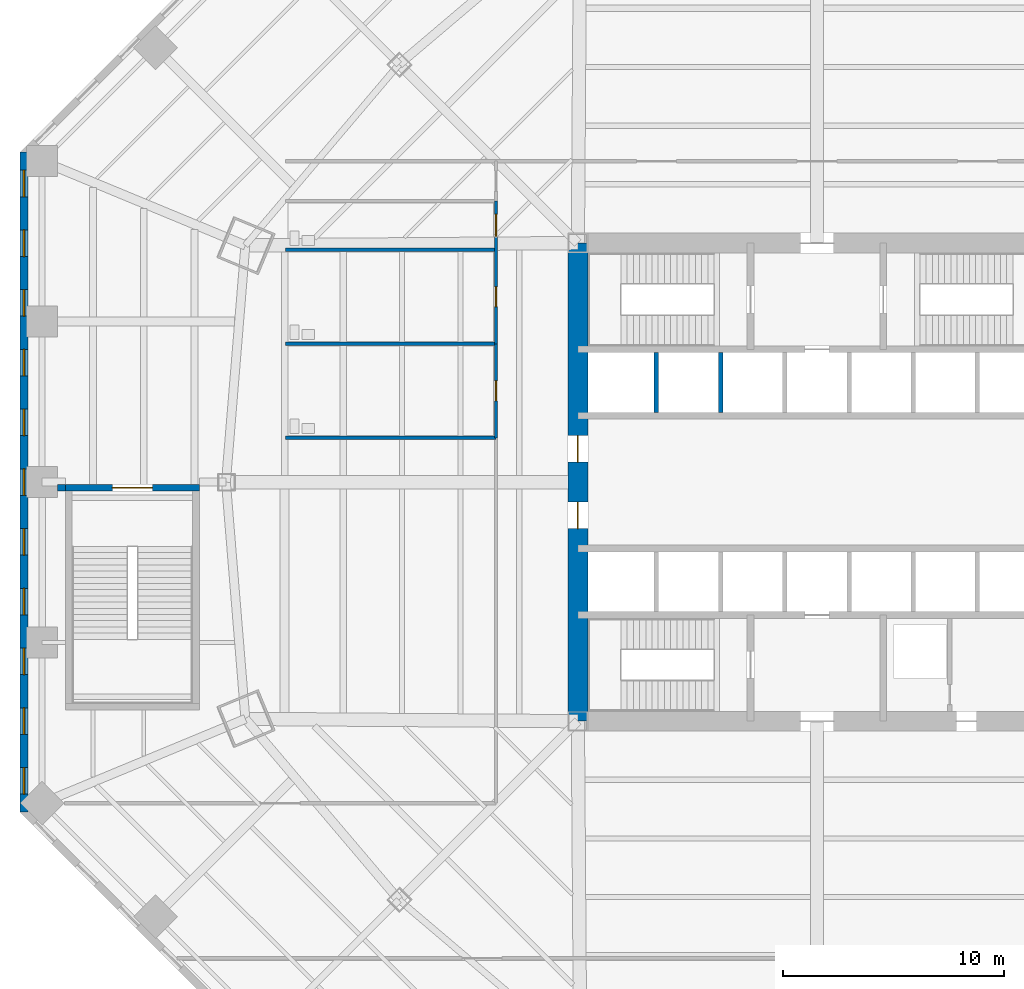
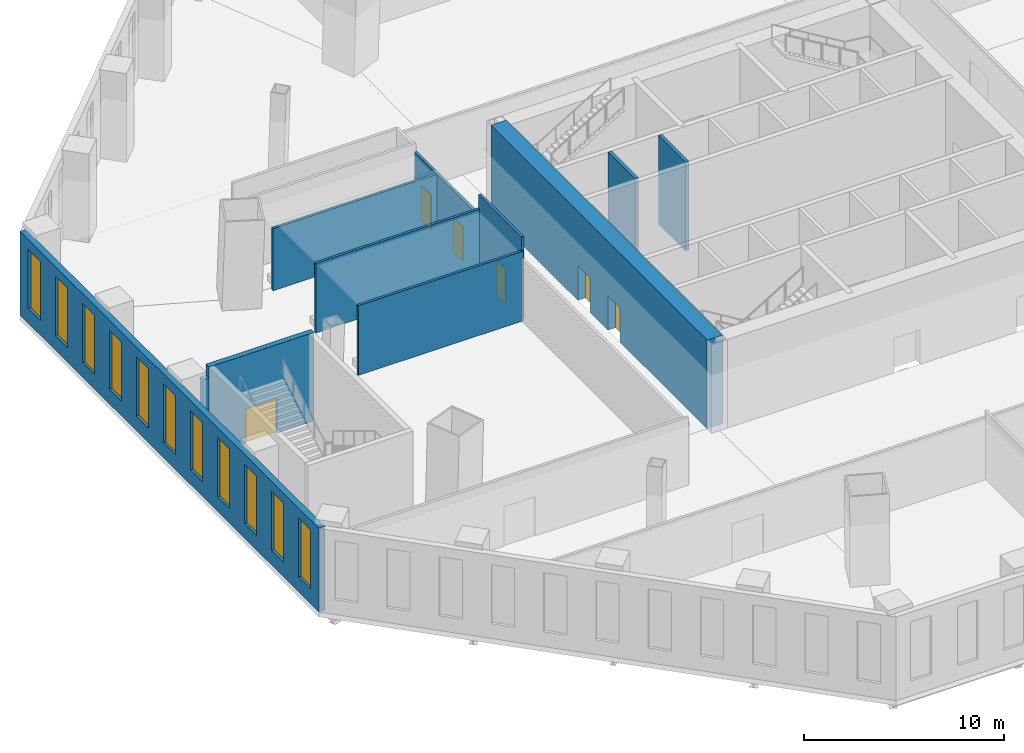
# One storey, part 10 of 18: 11 walls, 11 windows, 6 doors, 17 openings.
"""IFC4 building model written with IfcOpenShell, lengths in metres."""

from ifc_helpers import new_model, si_unit, direction, frame, frame_2d, origin, place, context, subcontext, project, spatial, rectangle, extrude, material, layer, layer_set, type_object, element, fill, save


model = new_model("IFC4")

# Units and contexts
model_context = context("Model", 3, precision=1e-05, world=origin(), true_north=direction((0.0, 1.0)))
body_context = subcontext(model_context, "Body", "Model", "MODEL_VIEW")
ifc_project = project(units=[si_unit("LENGTHUNIT", "METRE"), si_unit("AREAUNIT", "SQUARE_METRE"), si_unit("VOLUMEUNIT", "CUBIC_METRE"), si_unit("PLANEANGLEUNIT", "RADIAN"), si_unit("MASSUNIT", "GRAM", prefix="KILO")], contexts=[model_context])

# Site, building, storey
site_placement = place(None, origin())
site = spatial("IfcSite", under=ifc_project, at=site_placement, CompositionType="ELEMENT")
building_placement = place(site_placement, origin())
building = spatial("IfcBuilding", under=site, at=building_placement, Name="Mashrafa Tower", CompositionType="ELEMENT")
storey_placement = place(building_placement, frame((0.0, 0.0, 18.60009765625)))
storey = spatial("IfcBuildingStorey", under=building, at=storey_placement, Name="L03", CompositionType="ELEMENT", Elevation=18.60009765625)

# Wall, openings, doors
ifc_material_1 = material(Name="Concrete C60/75", Category="concrete")
ifc_layer_1 = layer(ifc_material_1, 0.89990234375)
ifc_layer_set_1 = layer_set([ifc_layer_1], Name="Core wall 900 C60/75")
wall_type_1 = type_object("IfcWallType", Name="Core wall 900 C60/75", PredefinedType="SOLIDWALL", material=ifc_layer_set_1)
wall_1_placement = place(storey_placement, frame((-10.800048828125, 10.800048828125, 0.0), z_axis=(0.0, 0.0, 1.0), x_axis=(0.0, -1.0, 0.0)))
wall_1 = element("IfcWall", 1, at=wall_1_placement, inside=storey, type_object=wall_type_1, Name="Core wall CW-W L03", PredefinedType="SOLIDWALL", context=body_context, shape_type="SweptSolid", body=[
    extrude(rectangle(XDim=21.60009765625, YDim=0.89990234375, at=frame_2d((10.800048828125, 0.0))), origin(), (0.0, 0.0, 1.0), 5.39990234375),
])
opening_1_placement = place(wall_1_placement, frame((8.699951171875, 0.0, 0.0)))
opening_1 = element("IfcOpeningElement", 2, at=opening_1_placement, cuts=wall_1, Name="Opening 03.014", PredefinedType="OPENING", context=body_context, shape_type="SweptSolid", body=[
    extrude(rectangle(XDim=1.199951171875, YDim=2.10009765625, at=frame_2d((0.60009765625, 1.050048828125))), frame((0.0, 0.4599609375, 0.0), z_axis=(0.0, -1.0, 0.0), x_axis=(1.0, 0.0, 0.0)), (0.0, 0.0, 1.0), 0.919921875),
])
opening_2_placement = place(wall_1_placement, frame((11.699951171875, 0.0, 0.0)))
opening_2 = element("IfcOpeningElement", 3, at=opening_2_placement, cuts=wall_1, Name="Opening 03.016", PredefinedType="OPENING", context=body_context, shape_type="SweptSolid", body=[
    extrude(rectangle(XDim=1.199951171875, YDim=2.10009765625, at=frame_2d((0.60009765625, 1.050048828125))), frame((0.0, 0.4599609375, 0.0), z_axis=(0.0, -1.0, 0.0), x_axis=(1.0, 0.0, 0.0)), (0.0, 0.0, 1.0), 0.919921875),
])
ifc_material_2 = material(Name="Steel door", Category="steel")
door_type_1 = type_object("IfcDoorType", Name="Lift hall door 1200 x 2100 90 min", OperationType="USERDEFINED", PredefinedType="DOOR", material=ifc_material_2)
door_1_placement = place(opening_1_placement, frame((1.199951171875, 0.0, 0.0), z_axis=(0.0, 0.0, 1.0), x_axis=(-1.0, 0.0, 0.0)))
door_1 = element("IfcDoor", 4, at=door_1_placement, inside=storey, type_object=door_type_1, Name="Lift hall door west L03", OperationType="SINGLE_SWING_RIGHT", OverallHeight=2.10009765625, OverallWidth=1.199951171875, PredefinedType="DOOR", context=body_context, shape_type="SweptSolid", body=[
    extrude(rectangle(XDim=1.199951171875, YDim=2.10009765625, at=frame_2d((0.60009765625, 1.050048828125))), frame((0.0, 0.02490234375, 0.0), z_axis=(0.0, -1.0, 0.0), x_axis=(1.0, 0.0, 0.0)), (0.0, 0.0, 1.0), 0.050048828125),
])
fill(opening_1, door_1)
door_2_placement = place(opening_2_placement, frame((1.199951171875, 0.0, 0.0), z_axis=(0.0, 0.0, 1.0), x_axis=(-1.0, 0.0, 0.0)))
door_2 = element("IfcDoor", 5, at=door_2_placement, inside=storey, type_object=door_type_1, Name="Lift hall door west L03", OperationType="SINGLE_SWING_RIGHT", OverallHeight=2.10009765625, OverallWidth=1.199951171875, PredefinedType="DOOR", context=body_context, shape_type="SweptSolid", body=[
    extrude(rectangle(XDim=1.199951171875, YDim=2.10009765625, at=frame_2d((0.60009765625, 1.050048828125))), frame((0.0, 0.02490234375, 0.0), z_axis=(0.0, -1.0, 0.0), x_axis=(1.0, 0.0, 0.0)), (0.0, 0.0, 1.0), 0.050048828125),
])
fill(opening_2, door_2)

# Wall, opening, door
ifc_material_3 = material(Name="Gypsum board on steel studs", Category="steel")
ifc_layer_2 = layer(ifc_material_3, 0.14990234375)
ifc_layer_set_2 = layer_set([ifc_layer_2], Name="Corridor partition 150 1 hr")
wall_type_2 = type_object("IfcWallType", Name="Corridor partition 150 1 hr", PredefinedType="PARTITIONING", material=ifc_layer_set_2)
wall_2_placement = place(storey_placement, frame((-14.5, 2.0, 0.0), z_axis=(0.0, 0.0, 1.0), x_axis=(0.0, 1.0, 0.0)))
wall_2 = element("IfcWall", 6, at=wall_2_placement, inside=storey, type_object=wall_type_2, Name="Corridor wall L03-003", PredefinedType="PARTITIONING", context=body_context, shape_type="SweptSolid", body=[
    extrude(rectangle(XDim=4.25, YDim=0.14990234375, at=frame_2d((2.125, 0.0))), origin(), (0.0, 0.0, 1.0), 5.099853515625),
])
opening_3_placement = place(wall_2_placement, frame((1.675048828125, 0.0, 0.0)))
opening_3 = element("IfcOpeningElement", 7, at=opening_3_placement, cuts=wall_2, Name="Opening 03.001", PredefinedType="OPENING", context=body_context, shape_type="SweptSolid", body=[
    extrude(rectangle(XDim=0.89990234375, YDim=2.10009765625, at=frame_2d((0.449951171875, 1.050048828125))), frame((0.0, 0.0849609375, 0.0), z_axis=(0.0, -1.0, 0.0), x_axis=(1.0, 0.0, 0.0)), (0.0, 0.0, 1.0), 0.169921875),
])
ifc_material_4 = material(Name="Timber door", Category="wood")
door_type_2 = type_object("IfcDoorType", Name="Toilet door 900 x 2100", OperationType="USERDEFINED", PredefinedType="DOOR", material=ifc_material_4)
door_3_placement = place(opening_3_placement, origin())
door_3 = element("IfcDoor", 8, at=door_3_placement, inside=storey, type_object=door_type_2, Name="WC Female L03 door", OperationType="SINGLE_SWING_LEFT", OverallHeight=2.10009765625, OverallWidth=0.89990234375, PredefinedType="DOOR", context=body_context, shape_type="SweptSolid", body=[
    extrude(rectangle(XDim=0.89990234375, YDim=2.10009765625, at=frame_2d((0.449951171875, 1.050048828125))), frame((0.0, 0.02490234375, 0.0), z_axis=(0.0, -1.0, 0.0), x_axis=(1.0, 0.0, 0.0)), (0.0, 0.0, 1.0), 0.050048828125),
])
fill(opening_3, door_3)

# Wall, openings, doors
wall_3_placement = place(storey_placement, frame((-14.5, 6.25, 0.0), z_axis=(0.0, 0.0, 1.0), x_axis=(0.0, 1.0, 0.0)))
wall_3 = element("IfcWall", 9, at=wall_3_placement, inside=storey, type_object=wall_type_2, Name="Corridor wall L03-005", PredefinedType="PARTITIONING", context=body_context, shape_type="SweptSolid", body=[
    extrude(rectangle(XDim=6.449951171875, YDim=0.14990234375, at=frame_2d((3.22509765625, 0.0))), origin(), (0.0, 0.0, 1.0), 3.789794921875),
])
opening_4_placement = place(wall_3_placement, frame((1.675048828125, 0.0, 0.0)))
opening_4 = element("IfcOpeningElement", 10, at=opening_4_placement, cuts=wall_3, Name="Opening 03.002", PredefinedType="OPENING", context=body_context, shape_type="SweptSolid", body=[
    extrude(rectangle(XDim=0.89990234375, YDim=2.10009765625, at=frame_2d((0.449951171875, 1.050048828125))), frame((0.0, 0.0849609375, 0.0), z_axis=(0.0, -1.0, 0.0), x_axis=(1.0, 0.0, 0.0)), (0.0, 0.0, 1.0), 0.169921875),
])
opening_5_placement = place(wall_3_placement, frame((4.85009765625, 0.0, 0.0)))
opening_5 = element("IfcOpeningElement", 11, at=opening_5_placement, cuts=wall_3, Name="Opening 03.003", PredefinedType="OPENING", context=body_context, shape_type="SweptSolid", body=[
    extrude(rectangle(XDim=1.0, YDim=2.10009765625, at=frame_2d((0.5, 1.050048828125))), frame((0.0, 0.0849609375, 0.0), z_axis=(0.0, -1.0, 0.0), x_axis=(1.0, 0.0, 0.0)), (0.0, 0.0, 1.0), 0.169921875),
])
ifc_material_5 = material(Name="Timber door", Category="wood")
door_type_3 = type_object("IfcDoorType", Name="Accessible toilet door 1000 x 2100", OperationType="USERDEFINED", PredefinedType="DOOR", material=ifc_material_5)
door_4_placement = place(opening_5_placement, origin())
door_4 = element("IfcDoor", 12, at=door_4_placement, inside=storey, type_object=door_type_3, Name="Accessible WC L03 door", OperationType="SINGLE_SWING_LEFT", OverallHeight=2.10009765625, OverallWidth=1.0, PredefinedType="DOOR", context=body_context, shape_type="SweptSolid", body=[
    extrude(rectangle(XDim=1.0, YDim=2.10009765625, at=frame_2d((0.5, 1.050048828125))), frame((0.0, 0.02490234375, 0.0), z_axis=(0.0, -1.0, 0.0), x_axis=(1.0, 0.0, 0.0)), (0.0, 0.0, 1.0), 0.050048828125),
])
fill(opening_5, door_4)
door_5_placement = place(opening_4_placement, origin())
door_5 = element("IfcDoor", 13, at=door_5_placement, inside=storey, type_object=door_type_2, Name="WC Male L03 door", OperationType="SINGLE_SWING_LEFT", OverallHeight=2.10009765625, OverallWidth=0.89990234375, PredefinedType="DOOR", context=body_context, shape_type="SweptSolid", body=[
    extrude(rectangle(XDim=0.89990234375, YDim=2.10009765625, at=frame_2d((0.449951171875, 1.050048828125))), frame((0.0, 0.02490234375, 0.0), z_axis=(0.0, -1.0, 0.0), x_axis=(1.0, 0.0, 0.0)), (0.0, 0.0, 1.0), 0.050048828125),
])
fill(opening_4, door_5)

# Wall, openings, windows
ifc_material_6 = material(Name="Riyadh limestone cladding on blockwork", Category="masonry")
ifc_layer_3 = layer(ifc_material_6, 0.35009765625)
ifc_layer_set_3 = layer_set([ifc_layer_3], Name="Limestone-clad external wall 350")
wall_type_3 = type_object("IfcWallType", Name="Limestone-clad external wall 350", PredefinedType="SOLIDWALL", material=ifc_layer_set_3)
wall_4_placement = place(storey_placement, frame((-35.824951171875, 14.91162109375, 0.0), z_axis=(0.0, 0.0, 1.0), x_axis=(0.0, -1.0, 0.0)))
wall_4 = element("IfcWall", 14, at=wall_4_placement, inside=storey, type_object=wall_type_3, Name="Limestone-clad external wall L03 west", PredefinedType="SOLIDWALL", context=body_context, shape_type="SweptSolid", body=[
    extrude(rectangle(XDim=29.8232421875, YDim=0.35009765625, at=frame_2d((14.91162109375, 0.0))), origin(), (0.0, 0.0, 1.0), 5.099853515625),
])
opening_6_placement = place(wall_4_placement, frame((0.821533203125, 0.0, 0.89990234375)))
opening_6 = element("IfcOpeningElement", 15, at=opening_6_placement, cuts=wall_4, Name="Opening W2", PredefinedType="OPENING", context=body_context, shape_type="SweptSolid", body=[
    extrude(rectangle(XDim=1.199951171875, YDim=3.60009765625, at=frame_2d((0.60009765625, 1.800048828125))), frame((0.0, 0.18505859375, 0.0), z_axis=(0.0, -1.0, 0.0), x_axis=(1.0, 0.0, 0.0)), (0.0, 0.0, 1.0), 0.3701171875),
])
opening_7_placement = place(wall_4_placement, frame((3.51953125, 0.0, 0.89990234375)))
opening_7 = element("IfcOpeningElement", 16, at=opening_7_placement, cuts=wall_4, Name="Opening W2", PredefinedType="OPENING", context=body_context, shape_type="SweptSolid", body=[
    extrude(rectangle(XDim=1.199951171875, YDim=3.60009765625, at=frame_2d((0.60009765625, 1.800048828125))), frame((0.0, 0.18505859375, 0.0), z_axis=(0.0, -1.0, 0.0), x_axis=(1.0, 0.0, 0.0)), (0.0, 0.0, 1.0), 0.3701171875),
])
opening_8_placement = place(wall_4_placement, frame((6.217529296875, 0.0, 0.89990234375)))
opening_8 = element("IfcOpeningElement", 17, at=opening_8_placement, cuts=wall_4, Name="Opening W2", PredefinedType="OPENING", context=body_context, shape_type="SweptSolid", body=[
    extrude(rectangle(XDim=1.199951171875, YDim=3.60009765625, at=frame_2d((0.60009765625, 1.800048828125))), frame((0.0, 0.18505859375, 0.0), z_axis=(0.0, -1.0, 0.0), x_axis=(1.0, 0.0, 0.0)), (0.0, 0.0, 1.0), 0.3701171875),
])
opening_9_placement = place(wall_4_placement, frame((8.91552734375, 0.0, 0.89990234375)))
opening_9 = element("IfcOpeningElement", 18, at=opening_9_placement, cuts=wall_4, Name="Opening W2", PredefinedType="OPENING", context=body_context, shape_type="SweptSolid", body=[
    extrude(rectangle(XDim=1.199951171875, YDim=3.60009765625, at=frame_2d((0.60009765625, 1.800048828125))), frame((0.0, 0.18505859375, 0.0), z_axis=(0.0, -1.0, 0.0), x_axis=(1.0, 0.0, 0.0)), (0.0, 0.0, 1.0), 0.3701171875),
])
opening_10_placement = place(wall_4_placement, frame((11.61376953125, 0.0, 0.89990234375)))
opening_10 = element("IfcOpeningElement", 19, at=opening_10_placement, cuts=wall_4, Name="Opening W2", PredefinedType="OPENING", context=body_context, shape_type="SweptSolid", body=[
    extrude(rectangle(XDim=1.199951171875, YDim=3.60009765625, at=frame_2d((0.60009765625, 1.800048828125))), frame((0.0, 0.18505859375, 0.0), z_axis=(0.0, -1.0, 0.0), x_axis=(1.0, 0.0, 0.0)), (0.0, 0.0, 1.0), 0.3701171875),
])
opening_11_placement = place(wall_4_placement, frame((14.311767578125, 0.0, 0.89990234375)))
opening_11 = element("IfcOpeningElement", 20, at=opening_11_placement, cuts=wall_4, Name="Opening W2", PredefinedType="OPENING", context=body_context, shape_type="SweptSolid", body=[
    extrude(rectangle(XDim=1.199951171875, YDim=3.60009765625, at=frame_2d((0.60009765625, 1.800048828125))), frame((0.0, 0.18505859375, 0.0), z_axis=(0.0, -1.0, 0.0), x_axis=(1.0, 0.0, 0.0)), (0.0, 0.0, 1.0), 0.3701171875),
])
opening_12_placement = place(wall_4_placement, frame((17.009765625, 0.0, 0.89990234375)))
opening_12 = element("IfcOpeningElement", 21, at=opening_12_placement, cuts=wall_4, Name="Opening W2", PredefinedType="OPENING", context=body_context, shape_type="SweptSolid", body=[
    extrude(rectangle(XDim=1.199951171875, YDim=3.60009765625, at=frame_2d((0.60009765625, 1.800048828125))), frame((0.0, 0.18505859375, 0.0), z_axis=(0.0, -1.0, 0.0), x_axis=(1.0, 0.0, 0.0)), (0.0, 0.0, 1.0), 0.3701171875),
])
opening_13_placement = place(wall_4_placement, frame((19.707763671875, 0.0, 0.89990234375)))
opening_13 = element("IfcOpeningElement", 22, at=opening_13_placement, cuts=wall_4, Name="Opening W2", PredefinedType="OPENING", context=body_context, shape_type="SweptSolid", body=[
    extrude(rectangle(XDim=1.199951171875, YDim=3.60009765625, at=frame_2d((0.60009765625, 1.800048828125))), frame((0.0, 0.18505859375, 0.0), z_axis=(0.0, -1.0, 0.0), x_axis=(1.0, 0.0, 0.0)), (0.0, 0.0, 1.0), 0.3701171875),
])
opening_14_placement = place(wall_4_placement, frame((22.40576171875, 0.0, 0.89990234375)))
opening_14 = element("IfcOpeningElement", 23, at=opening_14_placement, cuts=wall_4, Name="Opening W2", PredefinedType="OPENING", context=body_context, shape_type="SweptSolid", body=[
    extrude(rectangle(XDim=1.199951171875, YDim=3.60009765625, at=frame_2d((0.60009765625, 1.800048828125))), frame((0.0, 0.18505859375, 0.0), z_axis=(0.0, -1.0, 0.0), x_axis=(1.0, 0.0, 0.0)), (0.0, 0.0, 1.0), 0.3701171875),
])
opening_15_placement = place(wall_4_placement, frame((25.103759765625, 0.0, 0.89990234375)))
opening_15 = element("IfcOpeningElement", 24, at=opening_15_placement, cuts=wall_4, Name="Opening W2", PredefinedType="OPENING", context=body_context, shape_type="SweptSolid", body=[
    extrude(rectangle(XDim=1.199951171875, YDim=3.60009765625, at=frame_2d((0.60009765625, 1.800048828125))), frame((0.0, 0.18505859375, 0.0), z_axis=(0.0, -1.0, 0.0), x_axis=(1.0, 0.0, 0.0)), (0.0, 0.0, 1.0), 0.3701171875),
])
opening_16_placement = place(wall_4_placement, frame((27.8017578125, 0.0, 0.89990234375)))
opening_16 = element("IfcOpeningElement", 25, at=opening_16_placement, cuts=wall_4, Name="Opening W2", PredefinedType="OPENING", context=body_context, shape_type="SweptSolid", body=[
    extrude(rectangle(XDim=1.199951171875, YDim=3.60009765625, at=frame_2d((0.60009765625, 1.800048828125))), frame((0.0, 0.18505859375, 0.0), z_axis=(0.0, -1.0, 0.0), x_axis=(1.0, 0.0, 0.0)), (0.0, 0.0, 1.0), 0.3701171875),
])
ifc_material_7 = material(Name="Bronze-framed insulated glazing", Category="glass")
window_type = type_object("IfcWindowType", Name="Tall punched window 1200 x 3600", PartitioningType="DOUBLE_PANEL_HORIZONTAL", PredefinedType="WINDOW", material=ifc_material_7)
window_1_placement = place(opening_6_placement, origin())
window_1 = element("IfcWindow", 26, at=window_1_placement, inside=storey, type_object=window_type, Name="Window W2 L03 west bay 1", OverallHeight=3.60009765625, OverallWidth=1.199951171875, PartitioningType="SINGLE_PANEL", PredefinedType="WINDOW", context=body_context, shape_type="SweptSolid", body=[
    extrude(rectangle(XDim=1.199951171875, YDim=3.60009765625, at=frame_2d((0.60009765625, 1.800048828125))), frame((0.0, 0.030029296875, 0.0), z_axis=(0.0, -1.0, 0.0), x_axis=(1.0, 0.0, 0.0)), (0.0, 0.0, 1.0), 0.06005859375),
])
fill(opening_6, window_1)
window_2_placement = place(opening_7_placement, origin())
window_2 = element("IfcWindow", 27, at=window_2_placement, inside=storey, type_object=window_type, Name="Window W2 L03 west bay 2", OverallHeight=3.60009765625, OverallWidth=1.199951171875, PartitioningType="SINGLE_PANEL", PredefinedType="WINDOW", context=body_context, shape_type="SweptSolid", body=[
    extrude(rectangle(XDim=1.199951171875, YDim=3.60009765625, at=frame_2d((0.60009765625, 1.800048828125))), frame((0.0, 0.030029296875, 0.0), z_axis=(0.0, -1.0, 0.0), x_axis=(1.0, 0.0, 0.0)), (0.0, 0.0, 1.0), 0.06005859375),
])
fill(opening_7, window_2)
window_3_placement = place(opening_8_placement, origin())
window_3 = element("IfcWindow", 28, at=window_3_placement, inside=storey, type_object=window_type, Name="Window W2 L03 west bay 3", OverallHeight=3.60009765625, OverallWidth=1.199951171875, PartitioningType="SINGLE_PANEL", PredefinedType="WINDOW", context=body_context, shape_type="SweptSolid", body=[
    extrude(rectangle(XDim=1.199951171875, YDim=3.60009765625, at=frame_2d((0.60009765625, 1.800048828125))), frame((0.0, 0.030029296875, 0.0), z_axis=(0.0, -1.0, 0.0), x_axis=(1.0, 0.0, 0.0)), (0.0, 0.0, 1.0), 0.06005859375),
])
fill(opening_8, window_3)
window_4_placement = place(opening_9_placement, origin())
window_4 = element("IfcWindow", 29, at=window_4_placement, inside=storey, type_object=window_type, Name="Window W2 L03 west bay 4", OverallHeight=3.60009765625, OverallWidth=1.199951171875, PartitioningType="SINGLE_PANEL", PredefinedType="WINDOW", context=body_context, shape_type="SweptSolid", body=[
    extrude(rectangle(XDim=1.199951171875, YDim=3.60009765625, at=frame_2d((0.60009765625, 1.800048828125))), frame((0.0, 0.030029296875, 0.0), z_axis=(0.0, -1.0, 0.0), x_axis=(1.0, 0.0, 0.0)), (0.0, 0.0, 1.0), 0.06005859375),
])
fill(opening_9, window_4)
window_5_placement = place(opening_10_placement, origin())
window_5 = element("IfcWindow", 30, at=window_5_placement, inside=storey, type_object=window_type, Name="Window W2 L03 west bay 5", OverallHeight=3.60009765625, OverallWidth=1.199951171875, PartitioningType="SINGLE_PANEL", PredefinedType="WINDOW", context=body_context, shape_type="SweptSolid", body=[
    extrude(rectangle(XDim=1.199951171875, YDim=3.60009765625, at=frame_2d((0.60009765625, 1.800048828125))), frame((0.0, 0.030029296875, 0.0), z_axis=(0.0, -1.0, 0.0), x_axis=(1.0, 0.0, 0.0)), (0.0, 0.0, 1.0), 0.06005859375),
])
fill(opening_10, window_5)
window_6_placement = place(opening_11_placement, origin())
window_6 = element("IfcWindow", 31, at=window_6_placement, inside=storey, type_object=window_type, Name="Window W2 L03 west bay 6", OverallHeight=3.60009765625, OverallWidth=1.199951171875, PartitioningType="SINGLE_PANEL", PredefinedType="WINDOW", context=body_context, shape_type="SweptSolid", body=[
    extrude(rectangle(XDim=1.199951171875, YDim=3.60009765625, at=frame_2d((0.60009765625, 1.800048828125))), frame((0.0, 0.030029296875, 0.0), z_axis=(0.0, -1.0, 0.0), x_axis=(1.0, 0.0, 0.0)), (0.0, 0.0, 1.0), 0.06005859375),
])
fill(opening_11, window_6)
window_7_placement = place(opening_12_placement, origin())
window_7 = element("IfcWindow", 32, at=window_7_placement, inside=storey, type_object=window_type, Name="Window W2 L03 west bay 7", OverallHeight=3.60009765625, OverallWidth=1.199951171875, PartitioningType="SINGLE_PANEL", PredefinedType="WINDOW", context=body_context, shape_type="SweptSolid", body=[
    extrude(rectangle(XDim=1.199951171875, YDim=3.60009765625, at=frame_2d((0.60009765625, 1.800048828125))), frame((0.0, 0.030029296875, 0.0), z_axis=(0.0, -1.0, 0.0), x_axis=(1.0, 0.0, 0.0)), (0.0, 0.0, 1.0), 0.06005859375),
])
fill(opening_12, window_7)
window_8_placement = place(opening_13_placement, origin())
window_8 = element("IfcWindow", 33, at=window_8_placement, inside=storey, type_object=window_type, Name="Window W2 L03 west bay 8", OverallHeight=3.60009765625, OverallWidth=1.199951171875, PartitioningType="SINGLE_PANEL", PredefinedType="WINDOW", context=body_context, shape_type="SweptSolid", body=[
    extrude(rectangle(XDim=1.199951171875, YDim=3.60009765625, at=frame_2d((0.60009765625, 1.800048828125))), frame((0.0, 0.030029296875, 0.0), z_axis=(0.0, -1.0, 0.0), x_axis=(1.0, 0.0, 0.0)), (0.0, 0.0, 1.0), 0.06005859375),
])
fill(opening_13, window_8)
window_9_placement = place(opening_14_placement, origin())
window_9 = element("IfcWindow", 34, at=window_9_placement, inside=storey, type_object=window_type, Name="Window W2 L03 west bay 9", OverallHeight=3.60009765625, OverallWidth=1.199951171875, PartitioningType="SINGLE_PANEL", PredefinedType="WINDOW", context=body_context, shape_type="SweptSolid", body=[
    extrude(rectangle(XDim=1.199951171875, YDim=3.60009765625, at=frame_2d((0.60009765625, 1.800048828125))), frame((0.0, 0.030029296875, 0.0), z_axis=(0.0, -1.0, 0.0), x_axis=(1.0, 0.0, 0.0)), (0.0, 0.0, 1.0), 0.06005859375),
])
fill(opening_14, window_9)
window_10_placement = place(opening_15_placement, origin())
window_10 = element("IfcWindow", 35, at=window_10_placement, inside=storey, type_object=window_type, Name="Window W2 L03 west bay 10", OverallHeight=3.60009765625, OverallWidth=1.199951171875, PartitioningType="SINGLE_PANEL", PredefinedType="WINDOW", context=body_context, shape_type="SweptSolid", body=[
    extrude(rectangle(XDim=1.199951171875, YDim=3.60009765625, at=frame_2d((0.60009765625, 1.800048828125))), frame((0.0, 0.030029296875, 0.0), z_axis=(0.0, -1.0, 0.0), x_axis=(1.0, 0.0, 0.0)), (0.0, 0.0, 1.0), 0.06005859375),
])
fill(opening_15, window_10)
window_11_placement = place(opening_16_placement, origin())
window_11 = element("IfcWindow", 36, at=window_11_placement, inside=storey, type_object=window_type, Name="Window W2 L03 west bay 11", OverallHeight=3.60009765625, OverallWidth=1.199951171875, PartitioningType="SINGLE_PANEL", PredefinedType="WINDOW", context=body_context, shape_type="SweptSolid", body=[
    extrude(rectangle(XDim=1.199951171875, YDim=3.60009765625, at=frame_2d((0.60009765625, 1.800048828125))), frame((0.0, 0.030029296875, 0.0), z_axis=(0.0, -1.0, 0.0), x_axis=(1.0, 0.0, 0.0)), (0.0, 0.0, 1.0), 0.06005859375),
])
fill(opening_16, window_11)

# Walls
ifc_material_8 = material(Name="Gypsum board on steel studs", Category="steel")
ifc_layer_4 = layer(ifc_material_8, 0.14990234375)
ifc_layer_set_4 = layer_set([ifc_layer_4], Name="Partition 150")
wall_type_4 = type_object("IfcWallType", Name="Partition 150", PredefinedType="PARTITIONING", material=ifc_layer_set_4)
for number, where, z_axis, x_axis, name in (
    (37, (-14.5, 6.25, 0.0), (0.0, 0.0, 1.0), (-1.0, 0.0, 0.0), "Partition wall L03-001"),
    (38, (-24.0, 2.0, 0.0), (0.0, 0.0, 1.0), (1.0, 0.0, 0.0), "Partition wall L03-002"),
):
    element("IfcWall", number, at=place(storey_placement, frame(where, z_axis=z_axis, x_axis=x_axis)), inside=storey, type_object=wall_type_4, Name=name, PredefinedType="PARTITIONING", context=body_context, shape_type="SweptSolid", body=[
        extrude(rectangle(XDim=9.5, YDim=0.14990234375, at=frame_2d((4.75, 0.0))), origin(), (0.0, 0.0, 1.0), 4.244140625),
    ])
wall_5_placement = place(storey_placement, frame((-14.5, 10.5, 0.0), z_axis=(0.0, 0.0, 1.0), x_axis=(-1.0, 0.0, 0.0)))
element("IfcWall", 39, at=wall_5_placement, inside=storey, type_object=wall_type_4, Name="Partition wall L03-004", PredefinedType="PARTITIONING", context=body_context, shape_type="SweptSolid", body=[
    extrude(rectangle(XDim=9.5, YDim=0.14990234375, at=frame_2d((4.75, 0.0))), origin(), (0.0, 0.0, 1.0), 3.789794921875),
])
ifc_material_9 = material(Name="Gypsum shaft wall on steel studs", Category="steel")
ifc_layer_5 = layer(ifc_material_9, 0.199951171875)
ifc_layer_set_5 = layer_set([ifc_layer_5], Name="Shaft divider wall 200 2 hr")
wall_type_5 = type_object("IfcWallType", Name="Shaft divider wall 200 2 hr", PredefinedType="PARTITIONING", material=ifc_layer_set_5)
for number, where, z_axis, x_axis, name in (
    (40, (-7.25, 3.14990234375, 0.0), (0.0, 0.0, 1.0), (0.0, 1.0, 0.0), "Shaft divider wall N1 L03"),
    (41, (-4.35009765625, 3.14990234375, 0.0), (0.0, 0.0, 1.0), (0.0, 1.0, 0.0), "Shaft divider wall N2 L03"),
):
    element("IfcWall", number, at=place(storey_placement, frame(where, z_axis=z_axis, x_axis=x_axis)), inside=storey, type_object=wall_type_5, Name=name, PredefinedType="PARTITIONING", context=body_context, shape_type="SweptSolid", body=[
        extrude(rectangle(XDim=2.7001953125, YDim=0.199951171875, at=frame_2d((1.35009765625, 0.0))), origin(), (0.0, 0.0, 1.0), 5.39990234375),
    ])

# Wall, opening, door
ifc_material_10 = material(Name="Concrete C35/45", Category="concrete")
ifc_layer_6 = layer(ifc_material_10, 0.300048828125)
ifc_layer_set_6 = layer_set([ifc_layer_6], Name="Stair core wall 300 3 hr")
wall_type_6 = type_object("IfcWallType", Name="Stair core wall 300 3 hr", PredefinedType="SOLIDWALL", material=ifc_layer_set_6)
wall_6_placement = place(storey_placement, frame((-27.89990234375, -0.25, 0.0), z_axis=(0.0, 0.0, 1.0), x_axis=(-1.0, 0.0, 0.0)))
wall_6 = element("IfcWall", 42, at=wall_6_placement, inside=storey, type_object=wall_type_6, Name="Stair P3 core wall N L03", PredefinedType="SOLIDWALL", context=body_context, shape_type="SweptSolid", body=[
    extrude(rectangle(XDim=6.050048828125, YDim=0.300048828125, at=frame_2d((3.02490234375, 0.0))), origin(), (0.0, 0.0, 1.0), 5.39990234375),
])
opening_17_placement = place(wall_6_placement, frame((2.125, 0.0, 0.0)))
opening_17 = element("IfcOpeningElement", 43, at=opening_17_placement, cuts=wall_6, Name="Opening 03.026", PredefinedType="OPENING", context=body_context, shape_type="SweptSolid", body=[
    extrude(rectangle(XDim=1.800048828125, YDim=2.10009765625, at=frame_2d((0.89990234375, 1.050048828125))), frame((0.0, 0.159912109375, 0.0), z_axis=(0.0, -1.0, 0.0), x_axis=(1.0, 0.0, 0.0)), (0.0, 0.0, 1.0), 0.320068359375),
])
ifc_material_11 = material(Name="Steel door", Category="steel")
door_type_4 = type_object("IfcDoorType", Name="Stair door pair 1800 x 2100 90 min", OperationType="DOUBLE_DOOR_SINGLE_SWING", PredefinedType="DOOR", material=ifc_material_11)
door_6_placement = place(opening_17_placement, origin())
door_6 = element("IfcDoor", 44, at=door_6_placement, inside=storey, type_object=door_type_4, Name="Stair P3 door L03", OperationType="DOUBLE_DOOR_SINGLE_SWING", OverallHeight=2.10009765625, OverallWidth=1.800048828125, PredefinedType="DOOR", context=body_context, shape_type="SweptSolid", body=[
    extrude(rectangle(XDim=1.800048828125, YDim=2.10009765625, at=frame_2d((0.89990234375, 1.050048828125))), frame((0.0, 0.02490234375, 0.0), z_axis=(0.0, -1.0, 0.0), x_axis=(1.0, 0.0, 0.0)), (0.0, 0.0, 1.0), 0.050048828125),
])
fill(opening_17, door_6)

# Wall
wall_7_placement = place(storey_placement, frame((-33.949951171875, -0.25, 0.0), z_axis=(0.0, 0.0, 1.0), x_axis=(-1.0, 0.0, 0.0)))
element("IfcWall", 45, at=wall_7_placement, inside=storey, type_object=wall_type_6, Name="Stair P3 core wall N L03 end piece 2", PredefinedType="SOLIDWALL", context=body_context, shape_type="SweptSolid", body=[
    extrude(rectangle(XDim=0.35009765625, YDim=0.300048828125, at=frame_2d((0.175048828125, 0.0))), origin(), (0.0, 0.0, 1.0), 4.744384765625),
])

save(model, "model.ifc")
